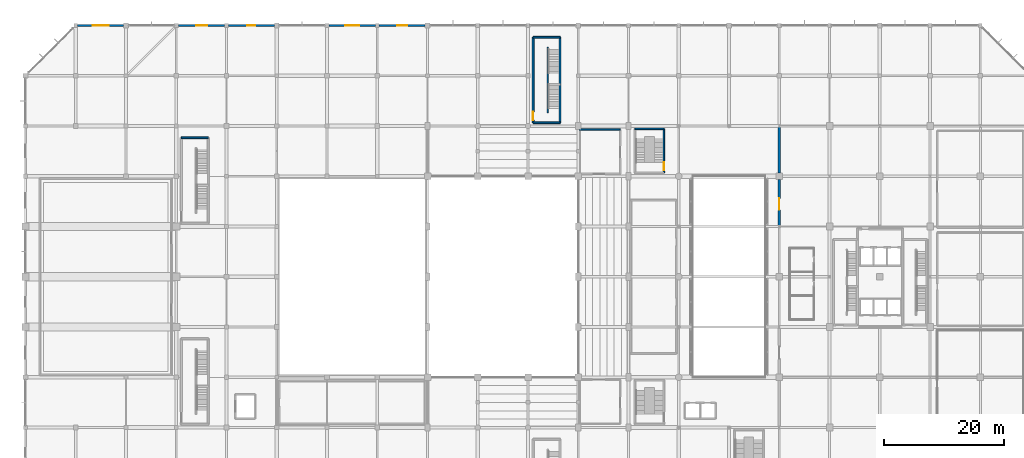
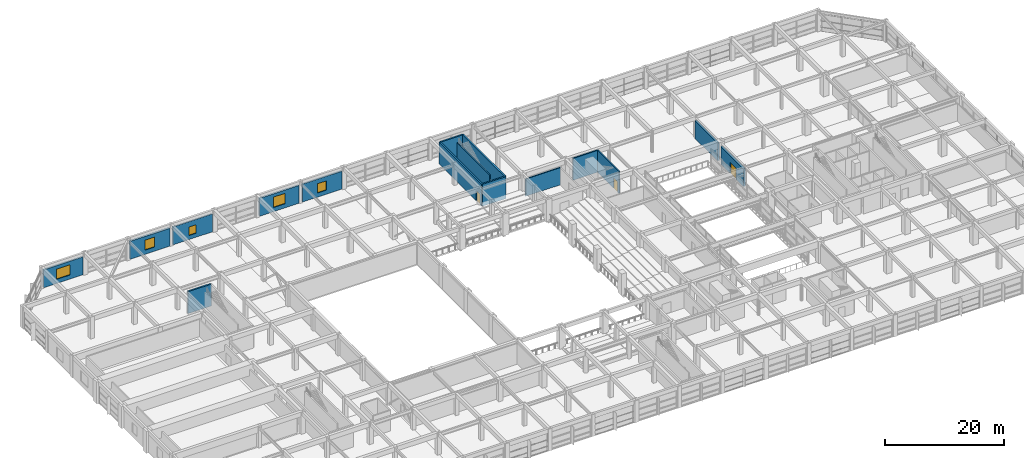
# One storey, part 51 of 62: 16 walls, 5 windows, 3 doors, 8 openings.
"""IFC4 building model written with IfcOpenShell, lengths in metres."""

from ifc_helpers import new_model, si_unit, direction, frame, frame_2d, origin, place, context, subcontext, project, spatial, rectangle, extrude, material, layer, layer_set, type_object, element, fill, save


model = new_model("IFC4")

# Units and contexts
model_context = context("Model", 3, precision=1e-05, world=origin(), true_north=direction((0.0, 1.0)))
body_context = subcontext(model_context, "Body", "Model", "MODEL_VIEW")
ifc_project = project(units=[si_unit("LENGTHUNIT", "METRE"), si_unit("AREAUNIT", "SQUARE_METRE"), si_unit("VOLUMEUNIT", "CUBIC_METRE"), si_unit("PLANEANGLEUNIT", "RADIAN"), si_unit("MASSUNIT", "GRAM", prefix="KILO")], contexts=[model_context])

# Site, building, storey
site_placement = place(None, origin())
site = spatial("IfcSite", under=ifc_project, at=site_placement, CompositionType="ELEMENT")
building_placement = place(site_placement, origin())
building = spatial("IfcBuilding", under=site, at=building_placement, Name="Xuanlan Plaza Opera House", CompositionType="ELEMENT")
storey_placement = place(building_placement, frame((0.0, 0.0, 14.39990234375)))
storey = spatial("IfcBuildingStorey", under=building, at=storey_placement, Name="L03", CompositionType="ELEMENT", Elevation=14.39990234375)

# Wall, opening, window
ifc_material_1 = material(Name="Anodised Aluminium 6063-T6 and Rockwool Cladding", Category="aluminium")
ifc_layer_1 = layer(ifc_material_1, 0.360107421875)
ifc_layer_set_1 = layer_set([ifc_layer_1], Name="Anodised Aluminium 6063-T6 and Rockwool Cladding")
wall_type_1 = type_object("IfcWallType", Name="ENV-WL-EW-01", PredefinedType="STANDARD", material=ifc_layer_set_1)
wall_1_placement = place(storey_placement, frame((33.300048828125, 100.800048828125, 0.0), z_axis=(0.0, 0.0, 1.0), x_axis=(-1.0, 0.0, 0.0)))
wall_1 = element("IfcWall", 1, at=wall_1_placement, inside=storey, type_object=wall_type_1, Name="Exterior Wall L03-044", PredefinedType="STANDARD", context=body_context, shape_type="SweptSolid", body=[
    extrude(rectangle(XDim=7.75, YDim=0.360107421875, at=frame_2d((3.875, 0.0))), origin(), (0.0, 0.0, 1.0), 3.68017578125),
])
opening_1_placement = place(wall_1_placement, frame((2.949951171875, 0.0, 0.85009765625)))
opening_1 = element("IfcOpeningElement", 2, at=opening_1_placement, cuts=wall_1, Name="Opening WN-17", PredefinedType="OPENING", context=body_context, shape_type="SweptSolid", body=[
    extrude(rectangle(XDim=1.85009765625, YDim=2.050048828125, at=frame_2d((0.925048828125, 1.02490234375))), frame((0.0, 0.18994140625, 0.0), z_axis=(0.0, -1.0, 0.0), x_axis=(1.0, 0.0, 0.0)), (0.0, 0.0, 1.0), 0.380126953125),
])
ifc_material_2 = material(Name="Anodised Aluminium 6063-T6 and Low-E Glass", Category="aluminium")
window_type_1 = type_object("IfcWindowType", Name="ENV-WN-WN-17", PartitioningType="DOUBLE_PANEL_VERTICAL", PredefinedType="WINDOW", material=ifc_material_2)
window_1_placement = place(opening_1_placement, origin())
window_1 = element("IfcWindow", 3, at=window_1_placement, inside=storey, type_object=window_type_1, Name="Facade Window L03-044", OverallHeight=2.050048828125, OverallWidth=1.85009765625, PartitioningType="DOUBLE_PANEL_VERTICAL", PredefinedType="WINDOW", context=body_context, shape_type="SweptSolid", body=[
    extrude(rectangle(XDim=1.85009765625, YDim=2.050048828125, at=frame_2d((0.925048828125, 1.02490234375))), frame((0.0, 0.030029296875, 0.0), z_axis=(0.0, -1.0, 0.0), x_axis=(1.0, 0.0, 0.0)), (0.0, 0.0, 1.0), 0.06005859375),
])
fill(opening_1, window_1)

ifc_layer_2 = layer(ifc_material_1, 0.320068359375)
ifc_layer_set_2 = layer_set([ifc_layer_2], Name="Anodised Aluminium 6063-T6 and Rockwool Cladding")
wall_type_2 = type_object("IfcWallType", Name="ENV-WL-EW-03", PredefinedType="STANDARD", material=ifc_layer_set_2)
wall_2_placement = place(storey_placement, frame((66.800048828125, 100.800048828125, 0.0), z_axis=(0.0, 0.0, 1.0), x_axis=(-1.0, 0.0, 0.0)))
wall_2 = element("IfcWall", 4, at=wall_2_placement, inside=storey, type_object=wall_type_2, Name="Exterior Wall L03-040", PredefinedType="STANDARD", context=body_context, shape_type="SweptSolid", body=[
    extrude(rectangle(XDim=7.699951171875, YDim=0.320068359375, at=frame_2d((3.85009765625, 0.0))), origin(), (0.0, 0.0, 1.0), 3.68017578125),
])
opening_2_placement = place(wall_2_placement, frame((3.0, 0.0, 0.85009765625)))
opening_2 = element("IfcOpeningElement", 5, at=opening_2_placement, cuts=wall_2, Name="Opening WN-13", PredefinedType="OPENING", context=body_context, shape_type="SweptSolid", body=[
    extrude(rectangle(XDim=1.699951171875, YDim=1.89990234375, at=frame_2d((0.85009765625, 0.949951171875))), frame((0.0, 0.169921875, 0.0), z_axis=(0.0, -1.0, 0.0), x_axis=(1.0, 0.0, 0.0)), (0.0, 0.0, 1.0), 0.340087890625),
])
window_type_2 = type_object("IfcWindowType", Name="ENV-WN-WN-13", PartitioningType="DOUBLE_PANEL_VERTICAL", PredefinedType="WINDOW", material=ifc_material_2)
window_2_placement = place(opening_2_placement, origin())
window_2 = element("IfcWindow", 6, at=window_2_placement, inside=storey, type_object=window_type_2, Name="Facade Window L03-040", OverallHeight=1.89990234375, OverallWidth=1.699951171875, PartitioningType="DOUBLE_PANEL_VERTICAL", PredefinedType="WINDOW", context=body_context, shape_type="SweptSolid", body=[
    extrude(rectangle(XDim=1.699951171875, YDim=1.89990234375, at=frame_2d((0.85009765625, 0.949951171875))), frame((0.0, 0.030029296875, 0.0), z_axis=(0.0, -1.0, 0.0), x_axis=(1.0, 0.0, 0.0)), (0.0, 0.0, 1.0), 0.06005859375),
])
fill(opening_2, window_2)

wall_3_placement = place(storey_placement, frame((16.39990234375, 100.800048828125, 0.0), z_axis=(0.0, 0.0, 1.0), x_axis=(-1.0, 0.0, 0.0)))
wall_3 = element("IfcWall", 7, at=wall_3_placement, inside=storey, type_object=wall_type_2, Name="Exterior Wall L03-046", PredefinedType="STANDARD", context=body_context, shape_type="SweptSolid", body=[
    extrude(rectangle(XDim=7.699951171875, YDim=0.320068359375, at=frame_2d((3.85009765625, 0.0))), origin(), (0.0, 0.0, 1.0), 3.68017578125),
])
opening_3_placement = place(wall_3_placement, frame((2.5, 0.0, 0.85009765625)))
opening_3 = element("IfcOpeningElement", 8, at=opening_3_placement, cuts=wall_3, Name="Opening WN-19", PredefinedType="OPENING", context=body_context, shape_type="SweptSolid", body=[
    extrude(rectangle(XDim=2.699951171875, YDim=2.10009765625, at=frame_2d((1.35009765625, 1.050048828125))), frame((0.0, 0.169921875, 0.0), z_axis=(0.0, -1.0, 0.0), x_axis=(1.0, 0.0, 0.0)), (0.0, 0.0, 1.0), 0.340087890625),
])
window_type_3 = type_object("IfcWindowType", Name="ENV-WN-WN-19", PartitioningType="TRIPLE_PANEL_VERTICAL", PredefinedType="WINDOW", material=ifc_material_2)
window_3_placement = place(opening_3_placement, origin())
window_3 = element("IfcWindow", 9, at=window_3_placement, inside=storey, type_object=window_type_3, Name="Facade Window L03-046", OverallHeight=2.10009765625, OverallWidth=2.699951171875, PartitioningType="TRIPLE_PANEL_VERTICAL", PredefinedType="WINDOW", context=body_context, shape_type="SweptSolid", body=[
    extrude(rectangle(XDim=2.699951171875, YDim=2.10009765625, at=frame_2d((1.35009765625, 1.050048828125))), frame((0.0, 0.030029296875, 0.0), z_axis=(0.0, -1.0, 0.0), x_axis=(1.0, 0.0, 0.0)), (0.0, 0.0, 1.0), 0.06005859375),
])
fill(opening_3, window_3)

ifc_layer_3 = layer(ifc_material_1, 0.31005859375)
ifc_layer_set_3 = layer_set([ifc_layer_3], Name="Anodised Aluminium 6063-T6 and Rockwool Cladding")
wall_type_3 = type_object("IfcWallType", Name="ENV-WL-EW-04", PredefinedType="STANDARD", material=ifc_layer_set_3)
wall_4_placement = place(storey_placement, frame((58.5, 100.800048828125, 0.0), z_axis=(0.0, 0.0, 1.0), x_axis=(-1.0, 0.0, 0.0)))
wall_4 = element("IfcWall", 10, at=wall_4_placement, inside=storey, type_object=wall_type_3, Name="Exterior Wall L03-041", PredefinedType="STANDARD", context=body_context, shape_type="SweptSolid", body=[
    extrude(rectangle(XDim=7.75, YDim=0.31005859375, at=frame_2d((3.875, 0.0))), origin(), (0.0, 0.0, 1.0), 3.68017578125),
])
opening_4_placement = place(wall_4_placement, frame((2.72509765625, 0.0, 0.85009765625)))
opening_4 = element("IfcOpeningElement", 11, at=opening_4_placement, cuts=wall_4, Name="Opening WN-14", PredefinedType="OPENING", context=body_context, shape_type="SweptSolid", body=[
    extrude(rectangle(XDim=2.300048828125, YDim=2.14990234375, at=frame_2d((1.14990234375, 1.074951171875))), frame((0.0, 0.1650390625, 0.0), z_axis=(0.0, -1.0, 0.0), x_axis=(1.0, 0.0, 0.0)), (0.0, 0.0, 1.0), 0.330078125),
])
window_type_4 = type_object("IfcWindowType", Name="ENV-WN-WN-14", PartitioningType="DOUBLE_PANEL_VERTICAL", PredefinedType="WINDOW", material=ifc_material_2)
window_4_placement = place(opening_4_placement, origin())
window_4 = element("IfcWindow", 12, at=window_4_placement, inside=storey, type_object=window_type_4, Name="Facade Window L03-041", OverallHeight=2.14990234375, OverallWidth=2.300048828125, PartitioningType="DOUBLE_PANEL_VERTICAL", PredefinedType="WINDOW", context=body_context, shape_type="SweptSolid", body=[
    extrude(rectangle(XDim=2.300048828125, YDim=2.14990234375, at=frame_2d((1.14990234375, 1.074951171875))), frame((0.0, 0.030029296875, 0.0), z_axis=(0.0, -1.0, 0.0), x_axis=(1.0, 0.0, 0.0)), (0.0, 0.0, 1.0), 0.06005859375),
])
fill(opening_4, window_4)

ifc_layer_4 = layer(ifc_material_1, 0.27001953125)
ifc_layer_set_4 = layer_set([ifc_layer_4], Name="Anodised Aluminium 6063-T6 and Rockwool Cladding")
wall_type_4 = type_object("IfcWallType", Name="ENV-WL-EW-06", PredefinedType="STANDARD", material=ifc_layer_set_4)
wall_5_placement = place(storey_placement, frame((41.60009765625, 100.800048828125, 0.0), z_axis=(0.0, 0.0, 1.0), x_axis=(-1.0, 0.0, 0.0)))
wall_5 = element("IfcWall", 13, at=wall_5_placement, inside=storey, type_object=wall_type_4, Name="Exterior Wall L03-043", PredefinedType="STANDARD", context=body_context, shape_type="SweptSolid", body=[
    extrude(rectangle(XDim=7.7001953125, YDim=0.27001953125, at=frame_2d((3.85009765625, 0.0))), origin(), (0.0, 0.0, 1.0), 3.68017578125),
])
opening_5_placement = place(wall_5_placement, frame((3.175048828125, 0.0, 0.85009765625)))
opening_5 = element("IfcOpeningElement", 14, at=opening_5_placement, cuts=wall_5, Name="Opening WN-16", PredefinedType="OPENING", context=body_context, shape_type="SweptSolid", body=[
    extrude(rectangle(XDim=1.35009765625, YDim=1.75, at=frame_2d((0.675048828125, 0.875))), frame((0.0, 0.14501953125, 0.0), z_axis=(0.0, -1.0, 0.0), x_axis=(1.0, 0.0, 0.0)), (0.0, 0.0, 1.0), 0.2900390625),
])
window_type_5 = type_object("IfcWindowType", Name="ENV-WN-WN-16", PartitioningType="SINGLE_PANEL", PredefinedType="WINDOW", material=ifc_material_2)
window_5_placement = place(opening_5_placement, origin())
window_5 = element("IfcWindow", 15, at=window_5_placement, inside=storey, type_object=window_type_5, Name="Facade Window L03-043", OverallHeight=1.75, OverallWidth=1.35009765625, PartitioningType="SINGLE_PANEL", PredefinedType="WINDOW", context=body_context, shape_type="SweptSolid", body=[
    extrude(rectangle(XDim=1.35009765625, YDim=1.75, at=frame_2d((0.675048828125, 0.875))), frame((0.0, 0.030029296875, 0.0), z_axis=(0.0, -1.0, 0.0), x_axis=(1.0, 0.0, 0.0)), (0.0, 0.0, 1.0), 0.06005859375),
])
fill(opening_5, window_5)

# Wall
ifc_material_3 = material(Name="Autoclaved Aerated Blockwork Masonry", Category="masonry")
ifc_layer_5 = layer(ifc_material_3, 0.219970703125)
ifc_layer_set_5 = layer_set([ifc_layer_5], Name="Autoclaved Aerated Blockwork Masonry")
wall_type_5 = type_object("IfcWallType", Name="INT-WL-PW-06", PredefinedType="PARTITIONING", material=ifc_layer_set_5)
wall_6_placement = place(storey_placement, frame((92.60009765625, 83.39990234375, 0.0), z_axis=(0.0, 0.0, 1.0), x_axis=(1.0, 0.0, 0.0)))
element("IfcWall", 16, at=wall_6_placement, inside=storey, type_object=wall_type_5, Name="Upper Circle Vomitory North Wall North", PredefinedType="PARTITIONING", context=body_context, shape_type="SweptSolid", body=[
    extrude(rectangle(XDim=6.7998046875, YDim=0.219970703125, at=frame_2d((3.39990234375, 0.0))), origin(), (0.0, 0.0, 1.0), 3.5400390625),
])

# Wall, opening, door
ifc_material_4 = material(Name="Concrete C50", Category="concrete")
ifc_layer_6 = layer(ifc_material_4, 0.3798828125)
ifc_layer_set_6 = layer_set([ifc_layer_6], Name="Concrete C50")
wall_type_6 = type_object("IfcWallType", Name="INT-WL-SW-FW1", PredefinedType="SHEAR", material=ifc_layer_set_6)
wall_7_placement = place(storey_placement, frame((126.0, 67.39990234375, 0.0), z_axis=(0.0, 0.0, 1.0), x_axis=(0.0, 1.0, 0.0)))
wall_7 = element("IfcWall", 17, at=wall_7_placement, inside=storey, type_object=wall_type_6, Name="Opera-Tower Compartment Firewall L03-03", PredefinedType="SHEAR", context=body_context, shape_type="SweptSolid", body=[
    extrude(rectangle(XDim=7.650146484375, YDim=0.3798828125, at=frame_2d((3.8251953125, 0.0))), origin(), (0.0, 0.0, 1.0), 3.650146484375),
])
opening_6_placement = place(wall_7_placement, frame((2.574951171875, 0.0, 0.0)))
opening_6 = element("IfcOpeningElement", 18, at=opening_6_placement, cuts=wall_7, Name="Opening FD-04", PredefinedType="OPENING", context=body_context, shape_type="SweptSolid", body=[
    extrude(rectangle(XDim=1.949951171875, YDim=2.300048828125, at=frame_2d((0.97509765625, 1.14990234375))), frame((0.0, 0.199951171875, 0.0), z_axis=(0.0, -1.0, 0.0), x_axis=(1.0, 0.0, 0.0)), (0.0, 0.0, 1.0), 0.39990234375),
])
ifc_material_5 = material(Name="Galvanised Steel Q235B", Category="steel")
door_type_1 = type_object("IfcDoorType", Name="INT-DR-FD-04", OperationType="DOUBLE_DOOR_SINGLE_SWING", PredefinedType="DOOR", material=ifc_material_5)
door_1_placement = place(opening_6_placement, origin())
door_1 = element("IfcDoor", 19, at=door_1_placement, inside=storey, type_object=door_type_1, Name="Compartment Firewall Door L03-03", OperationType="DOUBLE_DOOR_SINGLE_SWING", OverallHeight=2.300048828125, OverallWidth=1.949951171875, PredefinedType="DOOR", context=body_context, shape_type="SweptSolid", body=[
    extrude(rectangle(XDim=1.949951171875, YDim=2.300048828125, at=frame_2d((0.97509765625, 1.14990234375))), frame((0.0, 0.02490234375, 0.0), z_axis=(0.0, -1.0, 0.0), x_axis=(1.0, 0.0, 0.0)), (0.0, 0.0, 1.0), 0.050048828125),
])
fill(opening_6, door_1)

# Walls
wall_8_placement = place(storey_placement, frame((126.0, 76.14990234375, 0.0), z_axis=(0.0, 0.0, 1.0), x_axis=(0.0, 1.0, 0.0)))
element("IfcWall", 20, at=wall_8_placement, inside=storey, type_object=wall_type_6, Name="Opera-Tower Compartment Firewall L03-04", PredefinedType="SHEAR", context=body_context, shape_type="SweptSolid", body=[
    extrude(rectangle(XDim=7.650146484375, YDim=0.3798828125, at=frame_2d((3.8251953125, 0.0))), origin(), (0.0, 0.0, 1.0), 3.650146484375),
])
ifc_material_6 = material(Name="Concrete C40", Category="concrete")
ifc_layer_7 = layer(ifc_material_6, 0.199951171875)
ifc_layer_set_7 = layer_set([ifc_layer_7], Name="Concrete C40")
wall_type_7 = type_object("IfcWallType", Name="INT-WL-SW-SPN", PredefinedType="SHEAR", material=ifc_layer_set_7)
wall_9_placement = place(storey_placement, frame((87.300048828125, 86.199951171875, 0.0), z_axis=(0.0, 0.0, 1.0), x_axis=(0.0, 1.0, 0.0)))
element("IfcWall", 21, at=wall_9_placement, inside=storey, type_object=wall_type_7, Name="Stair Structural Spine Wall ST-P4 L03", PredefinedType="SHEAR", context=body_context, shape_type="SweptSolid", body=[
    extrude(rectangle(XDim=11.0, YDim=0.199951171875, at=frame_2d((5.5, 0.0))), origin(), (0.0, 0.0, 1.0), 4.5),
])
ifc_layer_8 = layer(ifc_material_6, 0.300048828125)
ifc_layer_set_8 = layer_set([ifc_layer_8], Name="Concrete C40")
wall_type_8 = type_object("IfcWallType", Name="INT-WL-SW-ST1", PredefinedType="SHEAR", material=ifc_layer_set_8)
for number, where, z_axis, x_axis, name in (
    (22, (26.050048828125, 82.050048828125, 0.0), (0.0, 0.0, 1.0), (1.0, 0.0, 0.0), "Stair Core Wall ST-P2 L03 North"),
    (23, (84.85009765625, 84.550048828125, 0.0), (0.0, 0.0, 1.0), (1.0, 0.0, 0.0), "Stair Core Wall ST-P4 L03 South"),
    (24, (84.85009765625, 98.85009765625, 0.0), (0.0, 0.0, 1.0), (1.0, 0.0, 0.0), "Stair Core Wall ST-P4 L03 North"),
):
    element("IfcWall", number, at=place(storey_placement, frame(where, z_axis=z_axis, x_axis=x_axis)), inside=storey, type_object=wall_type_8, Name=name, PredefinedType="SHEAR", context=body_context, shape_type="SweptSolid", body=[
        extrude(rectangle(XDim=4.5, YDim=0.300048828125, at=frame_2d((2.25, 0.0))), origin(), (0.0, 0.0, 1.0), 4.5),
    ])

# Wall, opening, door
wall_10_placement = place(storey_placement, frame((84.85009765625, 84.550048828125, 0.0), z_axis=(0.0, 0.0, 1.0), x_axis=(0.0, 1.0, 0.0)))
wall_10 = element("IfcWall", 25, at=wall_10_placement, inside=storey, type_object=wall_type_8, Name="Stair Core Wall ST-P4 L03 West", PredefinedType="SHEAR", context=body_context, shape_type="SweptSolid", body=[
    extrude(rectangle(XDim=14.300048828125, YDim=0.300048828125, at=frame_2d((7.14990234375, 0.0))), origin(), (0.0, 0.0, 1.0), 4.5),
])
opening_7_placement = place(wall_10_placement, frame((0.449951171875, 0.0, 0.0)))
opening_7 = element("IfcOpeningElement", 26, at=opening_7_placement, cuts=wall_10, Name="Opening FD-ST2", PredefinedType="OPENING", context=body_context, shape_type="SweptSolid", body=[
    extrude(rectangle(XDim=1.35009765625, YDim=2.14990234375, at=frame_2d((0.675048828125, 1.074951171875))), frame((0.0, 0.159912109375, 0.0), z_axis=(0.0, -1.0, 0.0), x_axis=(1.0, 0.0, 0.0)), (0.0, 0.0, 1.0), 0.320068359375),
])
door_type_2 = type_object("IfcDoorType", Name="INT-DR-FD-ST2", OperationType="NOTDEFINED", PredefinedType="DOOR", material=ifc_material_5)
door_2_placement = place(opening_7_placement, frame((1.35009765625, 0.0, 0.0), z_axis=(0.0, 0.0, 1.0), x_axis=(-1.0, 0.0, 0.0)))
door_2 = element("IfcDoor", 27, at=door_2_placement, inside=storey, type_object=door_type_2, Name="Stair Enclosure Fire Door ST-P4 L03", OperationType="SINGLE_SWING_RIGHT", OverallHeight=2.14990234375, OverallWidth=1.35009765625, PredefinedType="DOOR", context=body_context, shape_type="SweptSolid", body=[
    extrude(rectangle(XDim=1.35009765625, YDim=2.14990234375, at=frame_2d((0.675048828125, 1.074951171875))), frame((0.0, 0.02490234375, 0.0), z_axis=(0.0, -1.0, 0.0), x_axis=(1.0, 0.0, 0.0)), (0.0, 0.0, 1.0), 0.050048828125),
])
fill(opening_7, door_2)

# Walls
wall_11_placement = place(storey_placement, frame((89.35009765625, 84.550048828125, 0.0), z_axis=(0.0, 0.0, 1.0), x_axis=(0.0, 1.0, 0.0)))
element("IfcWall", 28, at=wall_11_placement, inside=storey, type_object=wall_type_8, Name="Stair Core Wall ST-P4 L03 East", PredefinedType="SHEAR", context=body_context, shape_type="SweptSolid", body=[
    extrude(rectangle(XDim=14.300048828125, YDim=0.300048828125, at=frame_2d((7.14990234375, 0.0))), origin(), (0.0, 0.0, 1.0), 4.5),
])
ifc_layer_9 = layer(ifc_material_6, 0.25)
ifc_layer_set_9 = layer_set([ifc_layer_9], Name="Concrete C40")
wall_type_9 = type_object("IfcWallType", Name="INT-WL-SW-ST2", PredefinedType="SHEAR", material=ifc_layer_set_9)
wall_12_placement = place(storey_placement, frame((101.875, 83.5048828125, 0.0), z_axis=(0.0, 0.0, 1.0), x_axis=(1.0, 0.0, 0.0)))
element("IfcWall", 29, at=wall_12_placement, inside=storey, type_object=wall_type_9, Name="Stair Core Wall ST-F2 L03 North", PredefinedType="SHEAR", context=body_context, shape_type="SweptSolid", body=[
    extrude(rectangle(XDim=4.85009765625, YDim=0.25, at=frame_2d((2.425048828125, 0.0))), origin(), (0.0, 0.0, 1.0), 4.5),
])

# Wall, opening, door
wall_13_placement = place(storey_placement, frame((106.72509765625, 76.175048828125, 0.0), z_axis=(0.0, 0.0, 1.0), x_axis=(0.0, 1.0, 0.0)))
wall_13 = element("IfcWall", 30, at=wall_13_placement, inside=storey, type_object=wall_type_9, Name="Stair Core Wall ST-F2 L03 East", PredefinedType="SHEAR", context=body_context, shape_type="SweptSolid", body=[
    extrude(rectangle(XDim=7.329833984375, YDim=0.25, at=frame_2d((3.6650390625, 0.0))), origin(), (0.0, 0.0, 1.0), 4.5),
])
opening_8_placement = place(wall_13_placement, frame((0.449951171875, 0.0, 0.0)))
opening_8 = element("IfcOpeningElement", 31, at=opening_8_placement, cuts=wall_13, Name="Opening FD-ST2", PredefinedType="OPENING", context=body_context, shape_type="SweptSolid", body=[
    extrude(rectangle(XDim=1.35009765625, YDim=2.14990234375, at=frame_2d((0.675048828125, 1.074951171875))), frame((0.0, 0.135009765625, 0.0), z_axis=(0.0, -1.0, 0.0), x_axis=(1.0, 0.0, 0.0)), (0.0, 0.0, 1.0), 0.27001953125),
])
door_3_placement = place(opening_8_placement, origin())
door_3 = element("IfcDoor", 32, at=door_3_placement, inside=storey, type_object=door_type_2, Name="Stair Enclosure Fire Door ST-F2 L03", OperationType="SINGLE_SWING_RIGHT", OverallHeight=2.14990234375, OverallWidth=1.35009765625, PredefinedType="DOOR", context=body_context, shape_type="SweptSolid", body=[
    extrude(rectangle(XDim=1.35009765625, YDim=2.14990234375, at=frame_2d((0.675048828125, 1.074951171875))), frame((0.0, 0.02490234375, 0.0), z_axis=(0.0, -1.0, 0.0), x_axis=(1.0, 0.0, 0.0)), (0.0, 0.0, 1.0), 0.050048828125),
])
fill(opening_8, door_3)

save(model, "model.ifc")
